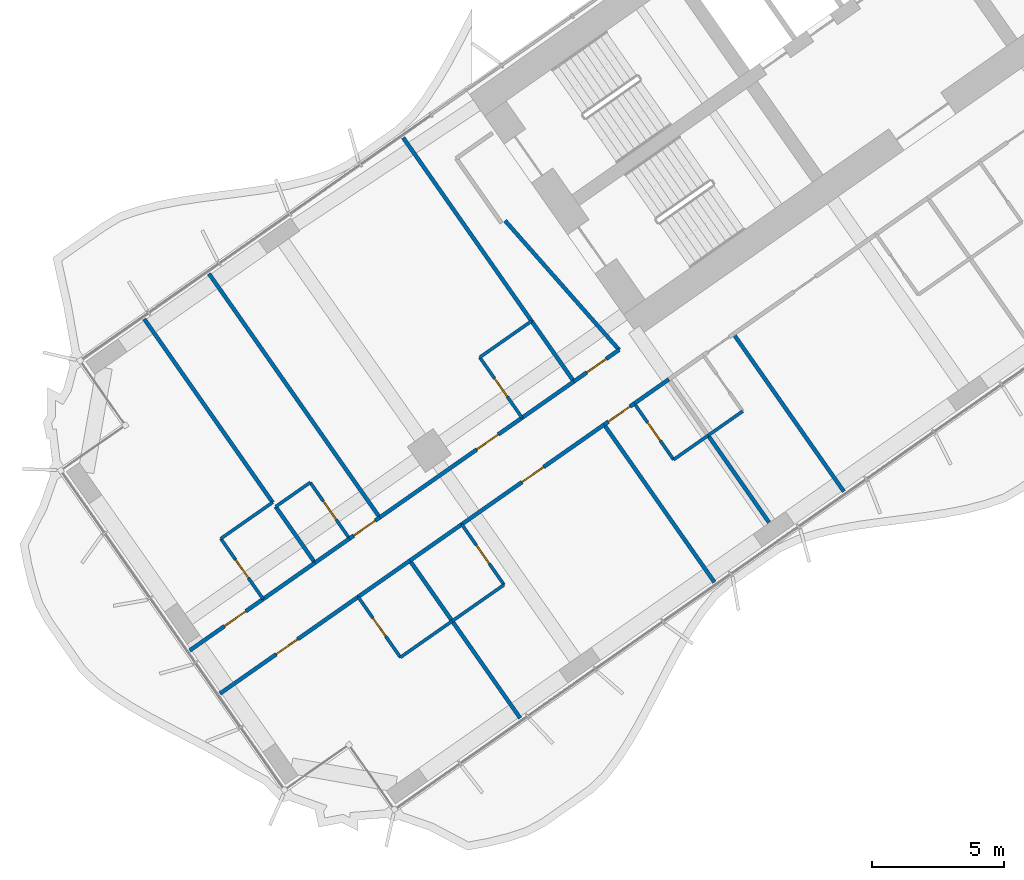
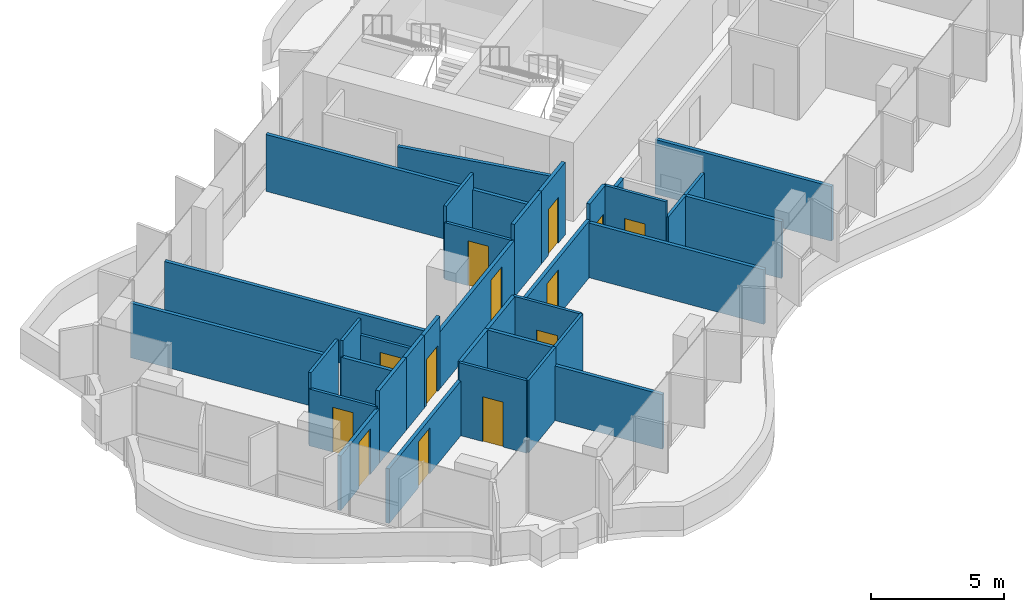
# One storey, part 12 of 23: 37 walls, 13 doors, 13 openings.
"""IFC4 building model written with IfcOpenShell, lengths in metres."""

from ifc_helpers import new_model, si_unit, direction, frame, frame_2d, origin, place, context, subcontext, project, spatial, rectangle, extrude, material, layer, layer_set, type_object, element, fill, save


model = new_model("IFC4")

# Units and contexts
model_context = context("Model", 3, precision=1e-05, world=origin(), true_north=direction((0.0, 1.0)))
body_context = subcontext(model_context, "Body", "Model", "MODEL_VIEW")
ifc_project = project(units=[si_unit("LENGTHUNIT", "METRE"), si_unit("AREAUNIT", "SQUARE_METRE"), si_unit("VOLUMEUNIT", "CUBIC_METRE"), si_unit("PLANEANGLEUNIT", "RADIAN"), si_unit("MASSUNIT", "GRAM", prefix="KILO")], contexts=[model_context])

# Site, building, storey
site_placement = place(None, origin())
site = spatial("IfcSite", under=ifc_project, at=site_placement, CompositionType="ELEMENT")
building_placement = place(site_placement, origin())
building = spatial("IfcBuilding", under=site, at=building_placement, Name="Tel Ilan Convention Tower", CompositionType="ELEMENT")
storey_placement = place(building_placement, frame((0.0, 0.0, 83.300048828125)))
storey = spatial("IfcBuildingStorey", under=building, at=storey_placement, Name="L16", CompositionType="ELEMENT", Elevation=83.300048828125)

# Wall, opening, door
ifc_material_1 = material(Name="Plasterboard on Steel Studs", Category="steel")
ifc_layer_1 = layer(ifc_material_1, 0.14990234375)
ifc_layer_set_1 = layer_set([ifc_layer_1], Name="Fire-rated Partition 150 EI 60")
wall_type_1 = type_object("IfcWallType", Name="Fire-rated Partition 150 EI 60", PredefinedType="PARTITIONING", material=ifc_layer_set_1)
wall_1_placement = place(storey_placement, frame((-24.002685546875, -18.027587890625, 0.0), z_axis=(0.0, 0.0, 1.0), x_axis=(0.819160859995, 0.573563846013, 0.0)))
wall_1 = element("IfcWall", 1, at=wall_1_placement, inside=storey, type_object=wall_type_1, Name="Partition 017", PredefinedType="PARTITIONING", context=body_context, shape_type="SweptSolid", body=[
    extrude(rectangle(XDim=2.098388671875, YDim=0.14990234375, at=frame_2d((1.04931640625, 0.0))), origin(), (0.0, 0.0, 1.0), 3.320068359375),
])
opening_1_placement = place(wall_1_placement, frame((0.59912109375, 0.0, 0.0)))
opening_1 = element("IfcOpeningElement", 2, at=opening_1_placement, cuts=wall_1, Name="Opening L15-013", PredefinedType="OPENING", context=body_context, shape_type="SweptSolid", body=[
    extrude(rectangle(XDim=0.89990234375, YDim=2.10009765625, at=frame_2d((0.449951171875, 1.050048828125))), frame((0.0, 0.0849609375, 0.0), z_axis=(0.0, -1.0, 0.0), x_axis=(1.0, 0.0, 0.0)), (0.0, 0.0, 1.0), 0.169921875),
])
ifc_material_2 = material(Name="Timber Door Leaf in Steel Frame", Category="steel")
door_type_1 = type_object("IfcDoorType", Name="Room Fire Door 900x2100", OperationType="NOTDEFINED", PredefinedType="DOOR", material=ifc_material_2)
door_1_placement = place(opening_1_placement, origin())
door_1 = element("IfcDoor", 3, at=door_1_placement, inside=storey, type_object=door_type_1, Name="Door L15-013", OperationType="SINGLE_SWING_LEFT", OverallHeight=2.10009765625, OverallWidth=0.89990234375, PredefinedType="DOOR", context=body_context, shape_type="SweptSolid", body=[
    extrude(rectangle(XDim=0.89990234375, YDim=2.10009765625, at=frame_2d((0.449951171875, 1.050048828125))), frame((0.0, 0.02490234375, 0.0), z_axis=(0.0, -1.0, 0.0), x_axis=(1.0, 0.0, 0.0)), (0.0, 0.0, 1.0), 0.050048828125),
])
fill(opening_1, door_1)

wall_2_placement = place(storey_placement, frame((-31.375, -23.189697265625, 0.0), z_axis=(0.0, 0.0, 1.0), x_axis=(0.819171118839, 0.573549194106, 0.0)))
wall_2 = element("IfcWall", 4, at=wall_2_placement, inside=storey, type_object=wall_type_1, Name="Partition 018", PredefinedType="PARTITIONING", context=body_context, shape_type="SweptSolid", body=[
    extrude(rectangle(XDim=6.60302734375, YDim=0.14990234375, at=frame_2d((3.301513671875, 0.0))), origin(), (0.0, 0.0, 1.0), 2.599853515625),
])
opening_2_placement = place(wall_2_placement, frame((4.501953125, 0.0, 0.0)))
opening_2 = element("IfcOpeningElement", 5, at=opening_2_placement, cuts=wall_2, Name="Opening L15-015", PredefinedType="OPENING", context=body_context, shape_type="SweptSolid", body=[
    extrude(rectangle(XDim=1.0, YDim=2.10009765625, at=frame_2d((0.5, 1.050048828125))), frame((0.0, 0.0849609375, 0.0), z_axis=(0.0, -1.0, 0.0), x_axis=(1.0, 0.0, 0.0)), (0.0, 0.0, 1.0), 0.169921875),
])
ifc_material_3 = material(Name="Timber Door Leaf in Steel Frame", Category="steel")
door_type_2 = type_object("IfcDoorType", Name="Hotel Room Entrance Fire Door 1000x2100", OperationType="NOTDEFINED", PredefinedType="DOOR", material=ifc_material_3)
door_2_placement = place(opening_2_placement, origin())
door_2 = element("IfcDoor", 6, at=door_2_placement, inside=storey, type_object=door_type_2, Name="Door L15-015", OperationType="SINGLE_SWING_LEFT", OverallHeight=2.10009765625, OverallWidth=1.0, PredefinedType="DOOR", context=body_context, shape_type="SweptSolid", body=[
    extrude(rectangle(XDim=1.0, YDim=2.10009765625, at=frame_2d((0.5, 1.050048828125))), frame((0.0, 0.02490234375, 0.0), z_axis=(0.0, -1.0, 0.0), x_axis=(1.0, 0.0, 0.0)), (0.0, 0.0, 1.0), 0.050048828125),
])
fill(opening_2, door_2)

# Wall
wall_3_placement = place(storey_placement, frame((-25.968505859375, -19.404296875, 0.0), z_axis=(0.0, 0.0, 1.0), x_axis=(0.819146032251, 0.573585022335, 0.0)))
element("IfcWall", 7, at=wall_3_placement, inside=storey, type_object=wall_type_1, Name="Partition 019", PredefinedType="PARTITIONING", context=body_context, shape_type="SweptSolid", body=[
    extrude(rectangle(XDim=2.404052734375, YDim=0.14990234375, at=frame_2d((1.2021484375, 0.0))), origin(), (0.0, 0.0, 1.0), 3.320068359375),
])

# Wall, opening, door
wall_4_placement = place(storey_placement, frame((-32.52099609375, -23.9921875, 0.0), z_axis=(0.0, 0.0, 1.0), x_axis=(0.819199220913, 0.573509055252, 0.0)))
wall_4 = element("IfcWall", 8, at=wall_4_placement, inside=storey, type_object=wall_type_1, Name="Partition 020", PredefinedType="PARTITIONING", context=body_context, shape_type="SweptSolid", body=[
    extrude(rectangle(XDim=1.403076171875, YDim=0.14990234375, at=frame_2d((0.70166015625, 0.0))), origin(), (0.0, 0.0, 1.0), 3.320068359375),
])
opening_3_placement = place(wall_4_placement, frame((0.200927734375, 0.0, 0.0)))
opening_3 = element("IfcOpeningElement", 9, at=opening_3_placement, cuts=wall_4, Name="Opening L15-017", PredefinedType="OPENING", context=body_context, shape_type="SweptSolid", body=[
    extrude(rectangle(XDim=1.0, YDim=2.10009765625, at=frame_2d((0.5, 1.050048828125))), frame((0.0, 0.0849609375, 0.0), z_axis=(0.0, -1.0, 0.0), x_axis=(1.0, 0.0, 0.0)), (0.0, 0.0, 1.0), 0.169921875),
])
door_3_placement = place(opening_3_placement, origin())
door_3 = element("IfcDoor", 10, at=door_3_placement, inside=storey, type_object=door_type_2, Name="Door L15-017", OperationType="SINGLE_SWING_RIGHT", OverallHeight=2.10009765625, OverallWidth=1.0, PredefinedType="DOOR", context=body_context, shape_type="SweptSolid", body=[
    extrude(rectangle(XDim=1.0, YDim=2.10009765625, at=frame_2d((0.5, 1.050048828125))), frame((0.0, 0.02490234375, 0.0), z_axis=(0.0, -1.0, 0.0), x_axis=(1.0, 0.0, 0.0)), (0.0, 0.0, 1.0), 0.050048828125),
])
fill(opening_3, door_3)

# Wall
wall_5_placement = place(storey_placement, frame((-33.83251953125, -24.910400390625, 0.0), z_axis=(0.0, 0.0, 1.0), x_axis=(0.819189013667, 0.573523634986, 0.0)))
element("IfcWall", 11, at=wall_5_placement, inside=storey, type_object=wall_type_1, Name="Partition 021", PredefinedType="PARTITIONING", context=body_context, shape_type="SweptSolid", body=[
    extrude(rectangle(XDim=1.60400390625, YDim=0.14990234375, at=frame_2d((0.802001953125, 0.0))), origin(), (0.0, 0.0, 1.0), 3.320068359375),
])

# Wall, opening, door
wall_6_placement = place(storey_placement, frame((-38.581787109375, -28.236083984375, 0.0), z_axis=(0.0, 0.0, 1.0), x_axis=(0.819154345195, 0.573573150303, 0.0)))
wall_6 = element("IfcWall", 12, at=wall_6_placement, inside=storey, type_object=wall_type_1, Name="Partition 022", PredefinedType="PARTITIONING", context=body_context, shape_type="SweptSolid", body=[
    extrude(rectangle(XDim=3.40087890625, YDim=0.14990234375, at=frame_2d((1.700439453125, 0.0))), origin(), (0.0, 0.0, 1.0), 2.5),
])
opening_4_placement = place(wall_6_placement, frame((1.60009765625, 0.0, 0.0)))
opening_4 = element("IfcOpeningElement", 13, at=opening_4_placement, cuts=wall_6, Name="Opening L15-019", PredefinedType="OPENING", context=body_context, shape_type="SweptSolid", body=[
    extrude(rectangle(XDim=1.0, YDim=2.10009765625, at=frame_2d((0.5, 1.050048828125))), frame((0.0, 0.0849609375, 0.0), z_axis=(0.0, -1.0, 0.0), x_axis=(1.0, 0.0, 0.0)), (0.0, 0.0, 1.0), 0.169921875),
])
door_4_placement = place(opening_4_placement, origin())
door_4 = element("IfcDoor", 14, at=door_4_placement, inside=storey, type_object=door_type_2, Name="Door L15-019", OperationType="SINGLE_SWING_LEFT", OverallHeight=2.10009765625, OverallWidth=1.0, PredefinedType="DOOR", context=body_context, shape_type="SweptSolid", body=[
    extrude(rectangle(XDim=1.0, YDim=2.10009765625, at=frame_2d((0.5, 1.050048828125))), frame((0.0, 0.02490234375, 0.0), z_axis=(0.0, -1.0, 0.0), x_axis=(1.0, 0.0, 0.0)), (0.0, 0.0, 1.0), 0.050048828125),
])
fill(opening_4, door_4)

# Wall
wall_7_placement = place(storey_placement, frame((-35.79833984375, -26.287109375, 0.0), z_axis=(0.0, 0.0, 1.0), x_axis=(0.819146032251, 0.573585022335, 0.0)))
element("IfcWall", 15, at=wall_7_placement, inside=storey, type_object=wall_type_1, Name="Partition 023", PredefinedType="PARTITIONING", context=body_context, shape_type="SweptSolid", body=[
    extrude(rectangle(XDim=2.404052734375, YDim=0.14990234375, at=frame_2d((1.2021484375, 0.0))), origin(), (0.0, 0.0, 1.0), 3.320068359375),
])

# Wall, opening, door
wall_8_placement = place(storey_placement, frame((-21.706298828125, -18.861083984375, 0.0), z_axis=(0.0, 0.0, 1.0), x_axis=(-0.819060210533, -0.573707566205, 0.0)))
wall_8 = element("IfcWall", 16, at=wall_8_placement, inside=storey, type_object=wall_type_1, Name="Partition 030", PredefinedType="PARTITIONING", context=body_context, shape_type="SweptSolid", body=[
    extrude(rectangle(XDim=1.403076171875, YDim=0.14990234375, at=frame_2d((0.70166015625, 0.0))), origin(), (0.0, 0.0, 1.0), 3.320068359375),
])
opening_5_placement = place(wall_8_placement, frame((0.200927734375, 0.0, 0.0)))
opening_5 = element("IfcOpeningElement", 17, at=opening_5_placement, cuts=wall_8, Name="Opening L15-008", PredefinedType="OPENING", context=body_context, shape_type="SweptSolid", body=[
    extrude(rectangle(XDim=1.0, YDim=2.10009765625, at=frame_2d((0.5, 1.050048828125))), frame((0.0, 0.0849609375, 0.0), z_axis=(0.0, -1.0, 0.0), x_axis=(1.0, 0.0, 0.0)), (0.0, 0.0, 1.0), 0.169921875),
])
door_5_placement = place(opening_5_placement, origin())
door_5 = element("IfcDoor", 18, at=door_5_placement, inside=storey, type_object=door_type_2, Name="Door L15-008", OperationType="SINGLE_SWING_LEFT", OverallHeight=2.10009765625, OverallWidth=1.0, PredefinedType="DOOR", context=body_context, shape_type="SweptSolid", body=[
    extrude(rectangle(XDim=1.0, YDim=2.10009765625, at=frame_2d((0.5, 1.050048828125))), frame((0.0, 0.02490234375, 0.0), z_axis=(0.0, -1.0, 0.0), x_axis=(1.0, 0.0, 0.0)), (0.0, 0.0, 1.0), 0.050048828125),
])
fill(opening_5, door_5)

# Wall
wall_9_placement = place(storey_placement, frame((-20.394775390625, -17.94287109375, 0.0), z_axis=(0.0, 0.0, 1.0), x_axis=(-0.819189013667, -0.573523634986, 0.0)))
element("IfcWall", 19, at=wall_9_placement, inside=storey, type_object=wall_type_1, Name="Partition 031", PredefinedType="PARTITIONING", context=body_context, shape_type="SweptSolid", body=[
    extrude(rectangle(XDim=1.60400390625, YDim=0.14990234375, at=frame_2d((0.802001953125, 0.0))), origin(), (0.0, 0.0, 1.0), 2.599853515625),
])

# Wall, opening, door
wall_10_placement = place(storey_placement, frame((-22.852294921875, -19.66357421875, 0.0), z_axis=(0.0, 0.0, 1.0), x_axis=(-0.819141582452, -0.573591377113, 0.0)))
wall_10 = element("IfcWall", 20, at=wall_10_placement, inside=storey, type_object=wall_type_1, Name="Partition 032", PredefinedType="PARTITIONING", context=body_context, shape_type="SweptSolid", body=[
    extrude(rectangle(XDim=6.602783203125, YDim=0.14990234375, at=frame_2d((3.30126953125, 0.0))), origin(), (0.0, 0.0, 1.0), 2.599853515625),
])
opening_6_placement = place(wall_10_placement, frame((2.802001953125, 0.0, 0.0)))
opening_6 = element("IfcOpeningElement", 21, at=opening_6_placement, cuts=wall_10, Name="Opening L15-010", PredefinedType="OPENING", context=body_context, shape_type="SweptSolid", body=[
    extrude(rectangle(XDim=1.0, YDim=2.10009765625, at=frame_2d((0.5, 1.050048828125))), frame((0.0, 0.0849609375, 0.0), z_axis=(0.0, -1.0, 0.0), x_axis=(1.0, 0.0, 0.0)), (0.0, 0.0, 1.0), 0.169921875),
])
door_6_placement = place(opening_6_placement, origin())
door_6 = element("IfcDoor", 22, at=door_6_placement, inside=storey, type_object=door_type_2, Name="Door L15-010", OperationType="SINGLE_SWING_LEFT", OverallHeight=2.10009765625, OverallWidth=1.0, PredefinedType="DOOR", context=body_context, shape_type="SweptSolid", body=[
    extrude(rectangle(XDim=1.0, YDim=2.10009765625, at=frame_2d((0.5, 1.050048828125))), frame((0.0, 0.02490234375, 0.0), z_axis=(0.0, -1.0, 0.0), x_axis=(1.0, 0.0, 0.0)), (0.0, 0.0, 1.0), 0.050048828125),
])
fill(opening_6, door_6)

# Wall
wall_11_placement = place(storey_placement, frame((-28.258544921875, -23.44921875, 0.0), z_axis=(0.0, 0.0, 1.0), x_axis=(-0.819146032251, -0.573585022335, 0.0)))
element("IfcWall", 23, at=wall_11_placement, inside=storey, type_object=wall_type_1, Name="Partition 033", PredefinedType="PARTITIONING", context=body_context, shape_type="SweptSolid", body=[
    extrude(rectangle(XDim=2.404052734375, YDim=0.14990234375, at=frame_2d((1.2021484375, 0.0))), origin(), (0.0, 0.0, 1.0), 3.320068359375),
])

# Wall, opening, door
wall_12_placement = place(storey_placement, frame((-32.19140625, -26.202880859375, 0.0), z_axis=(0.0, 0.0, 1.0), x_axis=(-0.819140526837, -0.573592884626, 0.0)))
wall_12 = element("IfcWall", 24, at=wall_12_placement, inside=storey, type_object=wall_type_1, Name="Partition 034", PredefinedType="PARTITIONING", context=body_context, shape_type="SweptSolid", body=[
    extrude(rectangle(XDim=6.401123046875, YDim=0.14990234375, at=frame_2d((3.20068359375, 0.0))), origin(), (0.0, 0.0, 1.0), 2.5),
])
opening_7_placement = place(wall_12_placement, frame((2.801025390625, 0.0, 0.0)))
opening_7 = element("IfcOpeningElement", 25, at=opening_7_placement, cuts=wall_12, Name="Opening L15-012", PredefinedType="OPENING", context=body_context, shape_type="SweptSolid", body=[
    extrude(rectangle(XDim=1.0, YDim=2.10009765625, at=frame_2d((0.5, 1.050048828125))), frame((0.0, 0.0849609375, 0.0), z_axis=(0.0, -1.0, 0.0), x_axis=(1.0, 0.0, 0.0)), (0.0, 0.0, 1.0), 0.169921875),
])
door_7_placement = place(opening_7_placement, origin())
door_7 = element("IfcDoor", 26, at=door_7_placement, inside=storey, type_object=door_type_2, Name="Door L15-012", OperationType="SINGLE_SWING_LEFT", OverallHeight=2.10009765625, OverallWidth=1.0, PredefinedType="DOOR", context=body_context, shape_type="SweptSolid", body=[
    extrude(rectangle(XDim=1.0, YDim=2.10009765625, at=frame_2d((0.5, 1.050048828125))), frame((0.0, 0.02490234375, 0.0), z_axis=(0.0, -1.0, 0.0), x_axis=(1.0, 0.0, 0.0)), (0.0, 0.0, 1.0), 0.050048828125),
])
fill(opening_7, door_7)

# Walls
wall_13_placement = place(storey_placement, frame((-30.224609375, -24.82568359375, 0.0), z_axis=(0.0, 0.0, 1.0), x_axis=(-0.819146032251, -0.573585022335, 0.0)))
element("IfcWall", 27, at=wall_13_placement, inside=storey, type_object=wall_type_1, Name="Partition 035", PredefinedType="PARTITIONING", context=body_context, shape_type="SweptSolid", body=[
    extrude(rectangle(XDim=2.404052734375, YDim=0.14990234375, at=frame_2d((1.2021484375, 0.0))), origin(), (0.0, 0.0, 1.0), 3.320068359375),
])
wall_14_placement = place(storey_placement, frame((-22.2841796875, -16.82666015625, 0.0), z_axis=(0.0, 0.0, 1.0), x_axis=(-0.661545117561, 0.749905365651, 0.0)))
element("IfcWall", 28, at=wall_14_placement, inside=storey, type_object=wall_type_1, Name="Partition 067", PredefinedType="PARTITIONING", context=body_context, shape_type="SweptSolid", body=[
    extrude(rectangle(XDim=6.542724609375, YDim=0.14990234375, at=frame_2d((3.271484375, 0.0))), origin(), (0.0, 0.0, 1.0), 2.599853515625),
])
wall_15_placement = place(storey_placement, frame((-25.6064453125, -15.733642578125, 0.0), z_axis=(0.0, 0.0, 1.0), x_axis=(-0.573576058406, 0.819152308929, 0.0)))
element("IfcWall", 29, at=wall_15_placement, inside=storey, type_object=wall_type_1, Name="Partition 068", PredefinedType="PARTITIONING", context=body_context, shape_type="SweptSolid", body=[
    extrude(rectangle(XDim=8.5009765625, YDim=0.14990234375, at=frame_2d((4.25048828125, 0.0))), origin(), (0.0, 0.0, 1.0), 2.599853515625),
])
wall_16_placement = place(storey_placement, frame((-24.0009765625, -18.0263671875, 0.0), z_axis=(0.0, 0.0, 1.0), x_axis=(-0.573596837309, 0.819137759006, 0.0)))
element("IfcWall", 30, at=wall_16_placement, inside=storey, type_object=wall_type_1, Name="Partition 069", PredefinedType="PARTITIONING", context=body_context, shape_type="SweptSolid", body=[
    extrude(rectangle(XDim=2.802001953125, YDim=0.14990234375, at=frame_2d((1.40087890625, 0.0))), origin(), (0.0, 0.0, 1.0), 2.599853515625),
])
wall_17_placement = place(storey_placement, frame((-31.373291015625, -23.188720703125, 0.0), z_axis=(0.0, 0.0, 1.0), x_axis=(-0.573571089604, 0.819155788095, 0.0)))
element("IfcWall", 31, at=wall_17_placement, inside=storey, type_object=wall_type_1, Name="Partition 072", PredefinedType="PARTITIONING", context=body_context, shape_type="SweptSolid", body=[
    extrude(rectangle(XDim=11.300048828125, YDim=0.14990234375, at=frame_2d((5.64990234375, 0.0))), origin(), (0.0, 0.0, 1.0), 2.5),
])
wall_18_placement = place(storey_placement, frame((-35.436279296875, -22.61669921875, 0.0), z_axis=(0.0, 0.0, 1.0), x_axis=(-0.57356256513, 0.819161756848, 0.0)))
element("IfcWall", 32, at=wall_18_placement, inside=storey, type_object=wall_type_1, Name="Partition 075", PredefinedType="PARTITIONING", context=body_context, shape_type="SweptSolid", body=[
    extrude(rectangle(XDim=8.501220703125, YDim=0.14990234375, at=frame_2d((4.25048828125, 0.0))), origin(), (0.0, 0.0, 1.0), 2.5),
])
wall_19_placement = place(storey_placement, frame((-33.830810546875, -24.909423828125, 0.0), z_axis=(0.0, 0.0, 1.0), x_axis=(-0.573537965655, 0.819178980414, 0.0)))
element("IfcWall", 33, at=wall_19_placement, inside=storey, type_object=wall_type_1, Name="Partition 076", PredefinedType="PARTITIONING", context=body_context, shape_type="SweptSolid", body=[
    extrude(rectangle(XDim=2.60009765625, YDim=0.14990234375, at=frame_2d((1.300048828125, 0.0))), origin(), (0.0, 0.0, 1.0), 2.599853515625),
])
wall_20_placement = place(storey_placement, frame((-13.751708984375, -22.203125, 0.0), z_axis=(0.0, 0.0, 1.0), x_axis=(-0.573594765376, 0.819139209862, 0.0)))
element("IfcWall", 34, at=wall_20_placement, inside=storey, type_object=wall_type_1, Name="Partition 085", PredefinedType="PARTITIONING", context=body_context, shape_type="SweptSolid", body=[
    extrude(rectangle(XDim=7.300048828125, YDim=0.14990234375, at=frame_2d((3.64990234375, 0.0))), origin(), (0.0, 0.0, 1.0), 2.5),
])
wall_21_placement = place(storey_placement, frame((-16.593505859375, -23.375, 0.0), z_axis=(0.0, 0.0, 1.0), x_axis=(-0.573600608675, 0.819135118114, 0.0)))
element("IfcWall", 35, at=wall_21_placement, inside=storey, type_object=wall_type_1, Name="Partition 088", PredefinedType="PARTITIONING", context=body_context, shape_type="SweptSolid", body=[
    extrude(rectangle(XDim=4.029052734375, YDim=0.14990234375, at=frame_2d((2.0146484375, 0.0))), origin(), (0.0, 0.0, 1.0), 2.599853515625),
])
wall_22_placement = place(storey_placement, frame((-18.666748046875, -25.64453125, 0.0), z_axis=(0.0, 0.0, 1.0), x_axis=(-0.573572324301, 0.819154923562, 0.0)))
element("IfcWall", 36, at=wall_22_placement, inside=storey, type_object=wall_type_1, Name="Partition 092", PredefinedType="PARTITIONING", context=body_context, shape_type="SweptSolid", body=[
    extrude(rectangle(XDim=7.2998046875, YDim=0.14990234375, at=frame_2d((3.64990234375, 0.0))), origin(), (0.0, 0.0, 1.0), 2.5),
])
wall_23_placement = place(storey_placement, frame((-26.0390625, -30.806640625, 0.0), z_axis=(0.0, 0.0, 1.0), x_axis=(-0.573589807488, 0.819142681555, 0.0)))
element("IfcWall", 37, at=wall_23_placement, inside=storey, type_object=wall_type_1, Name="Partition 095", PredefinedType="PARTITIONING", context=body_context, shape_type="SweptSolid", body=[
    extrude(rectangle(XDim=4.4990234375, YDim=0.14990234375, at=frame_2d((2.24951171875, 0.0))), origin(), (0.0, 0.0, 1.0), 2.5),
])
wall_24_placement = place(storey_placement, frame((-28.6201171875, -27.12060546875, 0.0), z_axis=(0.0, 0.0, 1.0), x_axis=(-0.573608623498, 0.819129505664, 0.0)))
element("IfcWall", 38, at=wall_24_placement, inside=storey, type_object=wall_type_1, Name="Partition 096", PredefinedType="PARTITIONING", context=body_context, shape_type="SweptSolid", body=[
    extrude(rectangle(XDim=2.800048828125, YDim=0.14990234375, at=frame_2d((1.39990234375, 0.0))), origin(), (0.0, 0.0, 1.0), 3.320068359375),
])
ifc_material_4 = material(Name="Plasterboard on Steel Studs", Category="steel")
ifc_layer_2 = layer(ifc_material_4, 0.1201171875)
ifc_layer_set_2 = layer_set([ifc_layer_2], Name="Moisture-resistant Partition 120")
wall_type_2 = type_object("IfcWallType", Name="Moisture-resistant Partition 120", PredefinedType="PARTITIONING", material=ifc_layer_set_2)
wall_25_placement = place(storey_placement, frame((-25.607666015625, -15.73193359375, 0.0), z_axis=(0.0, 0.0, 1.0), x_axis=(-0.819107643868, -0.573639841501, 0.0)))
element("IfcWall", 39, at=wall_25_placement, inside=storey, type_object=wall_type_2, Name="Partition 070", PredefinedType="PARTITIONING", context=body_context, shape_type="SweptSolid", body=[
    extrude(rectangle(XDim=2.39990234375, YDim=0.1201171875, at=frame_2d((1.199951171875, 0.0))), origin(), (0.0, 0.0, 1.0), 3.320068359375),
])

# Wall, opening, door
wall_26_placement = place(storey_placement, frame((-27.57373046875, -17.110107421875, 0.0), z_axis=(0.0, 0.0, 1.0), x_axis=(0.573591086599, -0.819141785879, 0.0)))
wall_26 = element("IfcWall", 40, at=wall_26_placement, inside=storey, type_object=wall_type_2, Name="Partition 071", PredefinedType="PARTITIONING", context=body_context, shape_type="SweptSolid", body=[
    extrude(rectangle(XDim=2.7998046875, YDim=0.1201171875, at=frame_2d((1.39990234375, 0.0))), origin(), (0.0, 0.0, 1.0), 2.599853515625),
])
opening_8_placement = place(wall_26_placement, frame((0.97509765625, 0.0, 0.0)))
opening_8 = element("IfcOpeningElement", 41, at=opening_8_placement, cuts=wall_26, Name="Opening L15-014", PredefinedType="OPENING", context=body_context, shape_type="SweptSolid", body=[
    extrude(rectangle(XDim=0.85009765625, YDim=2.050048828125, at=frame_2d((0.425048828125, 1.02490234375))), frame((0.0, 0.070068359375, 0.0), z_axis=(0.0, -1.0, 0.0), x_axis=(1.0, 0.0, 0.0)), (0.0, 0.0, 1.0), 0.14013671875),
])
ifc_material_5 = material(Name="Timber Door Leaf in Steel Frame", Category="steel")
door_type_3 = type_object("IfcDoorType", Name="Bathroom Timber Door 850x2050", OperationType="NOTDEFINED", PredefinedType="DOOR", material=ifc_material_5)
door_8_placement = place(opening_8_placement, origin())
door_8 = element("IfcDoor", 42, at=door_8_placement, inside=storey, type_object=door_type_3, Name="Door L15-014", OperationType="SINGLE_SWING_RIGHT", OverallHeight=2.050048828125, OverallWidth=0.85009765625, PredefinedType="DOOR", context=body_context, shape_type="SweptSolid", body=[
    extrude(rectangle(XDim=0.85009765625, YDim=2.050048828125, at=frame_2d((0.425048828125, 1.02490234375))), frame((0.0, 0.02490234375, 0.0), z_axis=(0.0, -1.0, 0.0), x_axis=(1.0, 0.0, 0.0)), (0.0, 0.0, 1.0), 0.050048828125),
])
fill(opening_8, door_8)

wall_27_placement = place(storey_placement, frame((-32.519287109375, -23.9912109375, 0.0), z_axis=(0.0, 0.0, 1.0), x_axis=(-0.573537965655, 0.819178980414, 0.0)))
wall_27 = element("IfcWall", 43, at=wall_27_placement, inside=storey, type_object=wall_type_2, Name="Partition 073", PredefinedType="PARTITIONING", context=body_context, shape_type="SweptSolid", body=[
    extrude(rectangle(XDim=2.60009765625, YDim=0.1201171875, at=frame_2d((1.300048828125, 0.0))), origin(), (0.0, 0.0, 1.0), 2.599853515625),
])
opening_9_placement = place(wall_27_placement, frame((0.875, 0.0, 0.0)))
opening_9 = element("IfcOpeningElement", 44, at=opening_9_placement, cuts=wall_27, Name="Opening L15-016", PredefinedType="OPENING", context=body_context, shape_type="SweptSolid", body=[
    extrude(rectangle(XDim=0.85009765625, YDim=2.050048828125, at=frame_2d((0.425048828125, 1.02490234375))), frame((0.0, 0.070068359375, 0.0), z_axis=(0.0, -1.0, 0.0), x_axis=(1.0, 0.0, 0.0)), (0.0, 0.0, 1.0), 0.14013671875),
])
door_9_placement = place(opening_9_placement, origin())
door_9 = element("IfcDoor", 45, at=door_9_placement, inside=storey, type_object=door_type_3, Name="Door L15-016", OperationType="SINGLE_SWING_LEFT", OverallHeight=2.050048828125, OverallWidth=0.85009765625, PredefinedType="DOOR", context=body_context, shape_type="SweptSolid", body=[
    extrude(rectangle(XDim=0.85009765625, YDim=2.050048828125, at=frame_2d((0.425048828125, 1.02490234375))), frame((0.0, 0.02490234375, 0.0), z_axis=(0.0, -1.0, 0.0), x_axis=(1.0, 0.0, 0.0)), (0.0, 0.0, 1.0), 0.050048828125),
])
fill(opening_9, door_9)

# Walls
wall_28_placement = place(storey_placement, frame((-34.011962890625, -21.861083984375, 0.0), z_axis=(0.0, 0.0, 1.0), x_axis=(-0.81918174131, -0.573534022273, 0.0)))
element("IfcWall", 46, at=wall_28_placement, inside=storey, type_object=wall_type_2, Name="Partition 074", PredefinedType="PARTITIONING", context=body_context, shape_type="SweptSolid", body=[
    extrude(rectangle(XDim=1.60009765625, YDim=0.1201171875, at=frame_2d((0.800048828125, 0.0))), origin(), (0.0, 0.0, 1.0), 3.320068359375),
])
wall_29_placement = place(storey_placement, frame((-35.4375, -22.614990234375, 0.0), z_axis=(0.0, 0.0, 1.0), x_axis=(-0.819155442668, -0.573571582932, 0.0)))
element("IfcWall", 47, at=wall_29_placement, inside=storey, type_object=wall_type_2, Name="Partition 077", PredefinedType="PARTITIONING", context=body_context, shape_type="SweptSolid", body=[
    extrude(rectangle(XDim=2.39990234375, YDim=0.1201171875, at=frame_2d((1.199951171875, 0.0))), origin(), (0.0, 0.0, 1.0), 3.320068359375),
])

# Wall, opening, door
wall_30_placement = place(storey_placement, frame((-37.403564453125, -23.992919921875, 0.0), z_axis=(0.0, 0.0, 1.0), x_axis=(0.573550118428, -0.819170471667, 0.0)))
wall_30 = element("IfcWall", 48, at=wall_30_placement, inside=storey, type_object=wall_type_2, Name="Partition 078", PredefinedType="PARTITIONING", context=body_context, shape_type="SweptSolid", body=[
    extrude(rectangle(XDim=2.800048828125, YDim=0.1201171875, at=frame_2d((1.39990234375, 0.0))), origin(), (0.0, 0.0, 1.0), 2.599853515625),
])
opening_10_placement = place(wall_30_placement, frame((0.97509765625, 0.0, 0.0)))
opening_10 = element("IfcOpeningElement", 49, at=opening_10_placement, cuts=wall_30, Name="Opening L15-018", PredefinedType="OPENING", context=body_context, shape_type="SweptSolid", body=[
    extrude(rectangle(XDim=0.85009765625, YDim=2.050048828125, at=frame_2d((0.425048828125, 1.02490234375))), frame((0.0, 0.070068359375, 0.0), z_axis=(0.0, -1.0, 0.0), x_axis=(1.0, 0.0, 0.0)), (0.0, 0.0, 1.0), 0.14013671875),
])
door_10_placement = place(opening_10_placement, origin())
door_10 = element("IfcDoor", 50, at=door_10_placement, inside=storey, type_object=door_type_3, Name="Door L15-018", OperationType="SINGLE_SWING_RIGHT", OverallHeight=2.050048828125, OverallWidth=0.85009765625, PredefinedType="DOOR", context=body_context, shape_type="SweptSolid", body=[
    extrude(rectangle(XDim=0.85009765625, YDim=2.050048828125, at=frame_2d((0.425048828125, 1.02490234375))), frame((0.0, 0.02490234375, 0.0), z_axis=(0.0, -1.0, 0.0), x_axis=(1.0, 0.0, 0.0)), (0.0, 0.0, 1.0), 0.050048828125),
])
fill(opening_10, door_10)

# Wall
wall_31_placement = place(storey_placement, frame((-18.904541015625, -20.07470703125, 0.0), z_axis=(0.0, 0.0, 1.0), x_axis=(0.819131543282, 0.57360571371, 0.0)))
element("IfcWall", 51, at=wall_31_placement, inside=storey, type_object=wall_type_2, Name="Partition 086", PredefinedType="PARTITIONING", context=body_context, shape_type="SweptSolid", body=[
    extrude(rectangle(XDim=1.599853515625, YDim=0.1201171875, at=frame_2d((0.7998046875, 0.0))), origin(), (0.0, 0.0, 1.0), 2.599853515625),
])

# Wall, opening, door
wall_32_placement = place(storey_placement, frame((-21.707763671875, -18.8623046875, 0.0), z_axis=(0.0, 0.0, 1.0), x_axis=(0.573537965655, -0.819178980414, 0.0)))
wall_32 = element("IfcWall", 52, at=wall_32_placement, inside=storey, type_object=wall_type_2, Name="Partition 090", PredefinedType="PARTITIONING", context=body_context, shape_type="SweptSolid", body=[
    extrude(rectangle(XDim=2.60009765625, YDim=0.1201171875, at=frame_2d((1.300048828125, 0.0))), origin(), (0.0, 0.0, 1.0), 3.320068359375),
])
opening_11_placement = place(wall_32_placement, frame((0.875, 0.0, 0.0)))
opening_11 = element("IfcOpeningElement", 53, at=opening_11_placement, cuts=wall_32, Name="Opening L15-007", PredefinedType="OPENING", context=body_context, shape_type="SweptSolid", body=[
    extrude(rectangle(XDim=0.85009765625, YDim=2.050048828125, at=frame_2d((0.425048828125, 1.02490234375))), frame((0.0, 0.070068359375, 0.0), z_axis=(0.0, -1.0, 0.0), x_axis=(1.0, 0.0, 0.0)), (0.0, 0.0, 1.0), 0.14013671875),
])
door_11_placement = place(opening_11_placement, origin())
door_11 = element("IfcDoor", 54, at=door_11_placement, inside=storey, type_object=door_type_3, Name="Door L15-007", OperationType="SINGLE_SWING_RIGHT", OverallHeight=2.050048828125, OverallWidth=0.85009765625, PredefinedType="DOOR", context=body_context, shape_type="SweptSolid", body=[
    extrude(rectangle(XDim=0.85009765625, YDim=2.050048828125, at=frame_2d((0.425048828125, 1.02490234375))), frame((0.0, 0.02490234375, 0.0), z_axis=(0.0, -1.0, 0.0), x_axis=(1.0, 0.0, 0.0)), (0.0, 0.0, 1.0), 0.050048828125),
])
fill(opening_11, door_11)

# Walls
wall_33_placement = place(storey_placement, frame((-20.215087890625, -20.992431640625, 0.0), z_axis=(0.0, 0.0, 1.0), x_axis=(0.819131543282, 0.57360571371, 0.0)))
element("IfcWall", 55, at=wall_33_placement, inside=storey, type_object=wall_type_2, Name="Partition 091", PredefinedType="PARTITIONING", context=body_context, shape_type="SweptSolid", body=[
    extrude(rectangle(XDim=1.599853515625, YDim=0.1201171875, at=frame_2d((0.7998046875, 0.0))), origin(), (0.0, 0.0, 1.0), 2.599853515625),
])
wall_34_placement = place(storey_placement, frame((-28.61962890625, -27.121337890625, 0.0), z_axis=(0.0, 0.0, 1.0), x_axis=(0.819188907105, 0.573523787192, 0.0)))
element("IfcWall", 56, at=wall_34_placement, inside=storey, type_object=wall_type_2, Name="Partition 093", PredefinedType="PARTITIONING", context=body_context, shape_type="SweptSolid", body=[
    extrude(rectangle(XDim=2.39990234375, YDim=0.1201171875, at=frame_2d((1.199951171875, 0.0))), origin(), (0.0, 0.0, 1.0), 3.320068359375),
])

# Wall, opening, door
wall_35_placement = place(storey_placement, frame((-26.6533203125, -25.743408203125, 0.0), z_axis=(0.0, 0.0, 1.0), x_axis=(-0.573608623498, 0.819129505664, 0.0)))
wall_35 = element("IfcWall", 57, at=wall_35_placement, inside=storey, type_object=wall_type_2, Name="Partition 094", PredefinedType="PARTITIONING", context=body_context, shape_type="SweptSolid", body=[
    extrude(rectangle(XDim=2.800048828125, YDim=0.1201171875, at=frame_2d((1.39990234375, 0.0))), origin(), (0.0, 0.0, 1.0), 3.320068359375),
])
opening_12_placement = place(wall_35_placement, frame((0.97509765625, 0.0, 0.0)))
opening_12 = element("IfcOpeningElement", 58, at=opening_12_placement, cuts=wall_35, Name="Opening L15-009", PredefinedType="OPENING", context=body_context, shape_type="SweptSolid", body=[
    extrude(rectangle(XDim=0.85009765625, YDim=2.050048828125, at=frame_2d((0.425048828125, 1.02490234375))), frame((0.0, 0.070068359375, 0.0), z_axis=(0.0, -1.0, 0.0), x_axis=(1.0, 0.0, 0.0)), (0.0, 0.0, 1.0), 0.14013671875),
])
door_12_placement = place(opening_12_placement, origin())
door_12 = element("IfcDoor", 59, at=door_12_placement, inside=storey, type_object=door_type_3, Name="Door L15-009", OperationType="SINGLE_SWING_LEFT", OverallHeight=2.050048828125, OverallWidth=0.85009765625, PredefinedType="DOOR", context=body_context, shape_type="SweptSolid", body=[
    extrude(rectangle(XDim=0.85009765625, YDim=2.050048828125, at=frame_2d((0.425048828125, 1.02490234375))), frame((0.0, 0.02490234375, 0.0), z_axis=(0.0, -1.0, 0.0), x_axis=(1.0, 0.0, 0.0)), (0.0, 0.0, 1.0), 0.050048828125),
])
fill(opening_12, door_12)

wall_36_placement = place(storey_placement, frame((-32.193115234375, -26.2041015625, 0.0), z_axis=(0.0, 0.0, 1.0), x_axis=(0.573608623498, -0.819129505664, 0.0)))
wall_36 = element("IfcWall", 60, at=wall_36_placement, inside=storey, type_object=wall_type_2, Name="Partition 097", PredefinedType="PARTITIONING", context=body_context, shape_type="SweptSolid", body=[
    extrude(rectangle(XDim=2.800048828125, YDim=0.1201171875, at=frame_2d((1.39990234375, 0.0))), origin(), (0.0, 0.0, 1.0), 3.320068359375),
])
opening_13_placement = place(wall_36_placement, frame((0.97509765625, 0.0, 0.0)))
opening_13 = element("IfcOpeningElement", 61, at=opening_13_placement, cuts=wall_36, Name="Opening L15-011", PredefinedType="OPENING", context=body_context, shape_type="SweptSolid", body=[
    extrude(rectangle(XDim=0.85009765625, YDim=2.050048828125, at=frame_2d((0.425048828125, 1.02490234375))), frame((0.0, 0.070068359375, 0.0), z_axis=(0.0, -1.0, 0.0), x_axis=(1.0, 0.0, 0.0)), (0.0, 0.0, 1.0), 0.14013671875),
])
door_13_placement = place(opening_13_placement, origin())
door_13 = element("IfcDoor", 62, at=door_13_placement, inside=storey, type_object=door_type_3, Name="Door L15-011", OperationType="SINGLE_SWING_LEFT", OverallHeight=2.050048828125, OverallWidth=0.85009765625, PredefinedType="DOOR", context=body_context, shape_type="SweptSolid", body=[
    extrude(rectangle(XDim=0.85009765625, YDim=2.050048828125, at=frame_2d((0.425048828125, 1.02490234375))), frame((0.0, 0.02490234375, 0.0), z_axis=(0.0, -1.0, 0.0), x_axis=(1.0, 0.0, 0.0)), (0.0, 0.0, 1.0), 0.050048828125),
])
fill(opening_13, door_13)

# Wall
wall_37_placement = place(storey_placement, frame((-30.585693359375, -28.498046875, 0.0), z_axis=(0.0, 0.0, 1.0), x_axis=(0.819141114317, 0.573592045652, 0.0)))
element("IfcWall", 63, at=wall_37_placement, inside=storey, type_object=wall_type_2, Name="Partition 098", PredefinedType="PARTITIONING", context=body_context, shape_type="SweptSolid", body=[
    extrude(rectangle(XDim=2.400146484375, YDim=0.1201171875, at=frame_2d((1.2001953125, 0.0))), origin(), (0.0, 0.0, 1.0), 3.320068359375),
])

save(model, "model.ifc")
